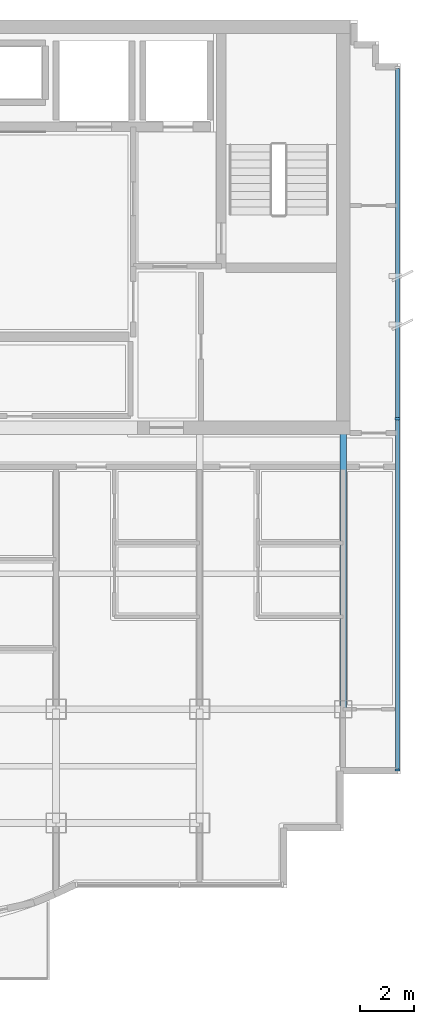
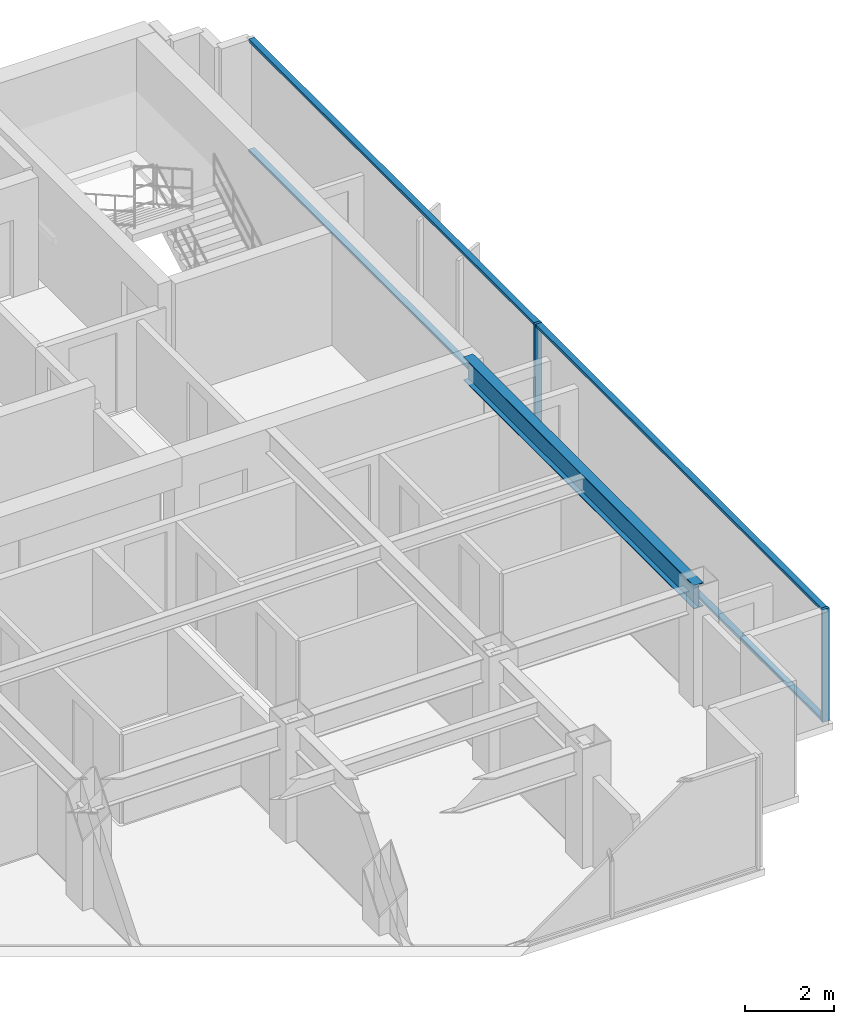
# One storey, part 3 of 10: 6 members, 1 beam, 1 element without a shape of its own.
"""IFC4 building model written with IfcOpenShell, lengths in metres."""

import ifcopenshell
import ifcopenshell.guid

model = None  # the IFC model being written
_history = None  # IfcOwnerHistory: only IFC2X3 demands one
_inside = {}  # id of a spatial element -> (the spatial element, [elements in it])
_under = {}  # id of a project, library or spatial element -> (it, [spatial elements below it])
_declared = {}  # id of a project -> (the project, [libraries it declares])
_typed = {}  # id of a type object -> (the type object, [elements of that type])
_made_of = {}  # id of a material, layer set ... -> (it, [elements and type objects made of it])


def new_model(schema):
    """Start an empty IFC model of exactly this schema.

    Asked for "IFC4X3", IfcOpenShell would pick the latest addendum, in which some entities
    have other attributes; the version numbers below select the first issue.
    IFC2X3 requires an IfcOwnerHistory on every rooted entity: one is made here for all.
    """
    global model, _history
    if schema == "IFC4X3":
        model = ifcopenshell.file(schema_version=(4, 3, 0, 0))
    else:
        model = ifcopenshell.file(schema=schema)
    _inside.clear()
    _under.clear()
    _declared.clear()
    _typed.clear()
    _made_of.clear()
    _history = None
    if model.schema == "IFC2X3":
        org = make("IfcOrganization", Name="unknown")
        user = make(
            "IfcPersonAndOrganization",
            ThePerson=make("IfcPerson", FamilyName="unknown"),
            TheOrganization=org,
        )
        app = make(
            "IfcApplication",
            ApplicationDeveloper=org,
            Version="unknown",
            ApplicationFullName="unknown",
            ApplicationIdentifier="unknown",
        )
        _history = make(
            "IfcOwnerHistory",
            OwningUser=user,
            OwningApplication=app,
            ChangeAction="ADDED",
            CreationDate=0,
        )
    return model


def make(cls, **values):
    """One entity of the class cls with the attributes given. An attribute that is None is left unset."""
    return model.create_entity(
        cls, **{name: value for name, value in values.items() if value is not None}
    )


def rooted(cls, **values):
    """An entity with a GlobalId (a new one), such as an element, a storey or a relation."""
    return make(cls, GlobalId=ifcopenshell.guid.new(), OwnerHistory=_history, **values)


def si_unit(unit_type, name, prefix=None):
    """IfcSIUnit, for example si_unit("LENGTHUNIT", "METRE", prefix="MILLI")."""
    return make("IfcSIUnit", UnitType=unit_type, Prefix=prefix, Name=name)


def assignment(units):
    """IfcUnitAssignment: the units of a project."""
    return None if units is None else make("IfcUnitAssignment", Units=units)


def point(xyz):
    """IfcCartesianPoint."""
    return None if xyz is None else make("IfcCartesianPoint", Coordinates=xyz)


def direction(xyz):
    """IfcDirection."""
    return None if xyz is None else make("IfcDirection", DirectionRatios=xyz)


def frame(location, z_axis=None, x_axis=None):
    """IfcAxis2Placement3D, a coordinate frame: its origin and axes. An axis left out is left unset."""
    return make(
        "IfcAxis2Placement3D",
        Location=point(location),
        Axis=direction(z_axis),
        RefDirection=direction(x_axis),
    )


def frame_2d(location, x_axis=None):
    """IfcAxis2Placement2D, a coordinate frame in the plane: its origin and x axis."""
    return make(
        "IfcAxis2Placement2D", Location=point(location), RefDirection=direction(x_axis)
    )


def origin():
    """The frame at (0, 0, 0) with its axes left unset."""
    return frame((0.0, 0.0, 0.0))


def origin_2d():
    """The frame at (0, 0) in the plane with its x axis left unset."""
    return frame_2d((0.0, 0.0))


def place(relative_to, where):
    """IfcLocalPlacement: puts the frame where relative to a parent placement (None: the world)."""
    return make(
        "IfcLocalPlacement", PlacementRelTo=relative_to, RelativePlacement=where
    )


def context(
    kind, dimensions, precision=None, world=None, true_north=None, identifier=None
):
    """IfcGeometricRepresentationContext, for example the 3D "Model" context."""
    return make(
        "IfcGeometricRepresentationContext",
        ContextIdentifier=identifier,
        ContextType=kind,
        CoordinateSpaceDimension=dimensions,
        Precision=precision,
        WorldCoordinateSystem=world,
        TrueNorth=true_north,
    )


def subcontext(parent, identifier, kind, view, scale=None):
    """IfcGeometricRepresentationSubContext, for example "Body" below "Model"."""
    return make(
        "IfcGeometricRepresentationSubContext",
        ContextIdentifier=identifier,
        ContextType=kind,
        ParentContext=parent,
        TargetScale=scale,
        TargetView=view,
    )


def project(units=None, contexts=None):
    """IfcProject with its units and contexts."""
    return rooted(
        "IfcProject",
        Name="project",
        RepresentationContexts=contexts,
        UnitsInContext=assignment(units),
    )


def spatial(cls, under=None, at=None, **own):
    """A site, building, storey or space (cls), placed at a placement, below another one or the project."""
    s = rooted(cls, ObjectPlacement=at, **own)
    if under is not None:
        _under.setdefault(under.id(), (under, []))[1].append(s)
    return s


def profile(cls, at=None, kind="AREA", **sizes):
    """A parametric profile (cls). Its sizes go by their IFC names, for example OverallWidth=200.0."""
    return make(cls, ProfileType=kind, Position=at, **sizes)


def rectangle(**sizes):
    """IfcRectangleProfileDef."""
    return profile("IfcRectangleProfileDef", **sizes)


def i_section(**sizes):
    """IfcIShapeProfileDef."""
    return profile("IfcIShapeProfileDef", **sizes)


def extrude(swept, where, along, depth):
    """IfcExtrudedAreaSolid: the profile swept, set in the frame where, extruded along a direction by depth."""
    return make(
        "IfcExtrudedAreaSolid",
        SweptArea=swept,
        Position=where,
        ExtrudedDirection=direction(along),
        Depth=depth,
    )


def shape(context_of_items, identifier, shape_type, items):
    """IfcShapeRepresentation: the items that make up one representation, for example the "Body"."""
    return make(
        "IfcShapeRepresentation",
        ContextOfItems=context_of_items,
        RepresentationIdentifier=identifier,
        RepresentationType=shape_type,
        Items=items,
    )


def source(mapping_origin, context_of_items, identifier, shape_type, items):
    """IfcRepresentationMap: a shape defined once, which mapped items show again and again."""
    return make(
        "IfcRepresentationMap",
        MappingOrigin=mapping_origin,
        MappedRepresentation=shape(context_of_items, identifier, shape_type, items),
    )


def transform(
    local_origin,
    x_axis=None,
    y_axis=None,
    z_axis=None,
    scale=None,
    scale2=None,
    scale3=None,
    uniform=True,
):
    """IfcCartesianTransformationOperator3D, or its non-uniform kind. x_axis, y_axis, z_axis: its Axis1, 2, 3."""
    if uniform:
        return make(
            "IfcCartesianTransformationOperator3D",
            Axis1=direction(x_axis),
            Axis2=direction(y_axis),
            LocalOrigin=point(local_origin),
            Scale=scale,
            Axis3=direction(z_axis),
        )
    return make(
        "IfcCartesianTransformationOperator3DnonUniform",
        Axis1=direction(x_axis),
        Axis2=direction(y_axis),
        LocalOrigin=point(local_origin),
        Scale=scale,
        Axis3=direction(z_axis),
        Scale2=scale2,
        Scale3=scale3,
    )


def mapped(mapping_source, mapping_target):
    """IfcMappedItem: shows the shape of a source again, moved by a transform."""
    return make(
        "IfcMappedItem", MappingSource=mapping_source, MappingTarget=mapping_target
    )


def material(Name=None, Category=None):
    """IfcMaterial."""
    return make("IfcMaterial", Name=Name, Category=Category)


def layer(
    of_material, thickness, ventilated=None, Name=None, Category=None, Priority=None
):
    """IfcMaterialLayer: one layer of a wall or slab, of a material (None: an air gap)."""
    return make(
        "IfcMaterialLayer",
        Material=of_material,
        LayerThickness=thickness,
        IsVentilated=ventilated,
        Name=Name,
        Category=Category,
        Priority=Priority,
    )


def layer_set(layers, Name=None):
    """IfcMaterialLayerSet."""
    return make("IfcMaterialLayerSet", MaterialLayers=layers, LayerSetName=Name)


def material_profile(
    of_material, cross_section, Name=None, Category=None, Priority=None
):
    """IfcMaterialProfile: a cross section and its material."""
    return make(
        "IfcMaterialProfile",
        Name=Name,
        Material=of_material,
        Profile=cross_section,
        Priority=Priority,
        Category=Category,
    )


def profile_set(profiles, Name=None, composite=None):
    """IfcMaterialProfileSet."""
    return make(
        "IfcMaterialProfileSet",
        Name=Name,
        MaterialProfiles=profiles,
        CompositeProfile=composite,
    )


def made_of(thing, what):
    """Note that an element or type object is made of a material, layer set ...; save() writes the relation."""
    if what is not None:
        _made_of.setdefault(what.id(), (what, []))[1].append(thing)
    return thing


def type_object(cls, material=None, **own):
    """A type object (cls), such as IfcWallType, which elements share."""
    return made_of(rooted(cls, **own), material)


def element(
    cls,
    number,
    at=None,
    inside=None,
    cuts=None,
    type_object=None,
    material=None,
    context=None,
    identifier="Body",
    shape_type=None,
    held_by="IfcProductDefinitionShape",
    body=None,
    shapes=None,
    **own,
):
    """One element of the class cls, such as IfcWall. Its Tag is "e" and its number.

    at: its placement. inside: the storey or other place that contains it. cuts: it is an
    opening in that element (IfcRelVoidsElement). A single representation is given by context,
    identifier, shape_type and body (its items); several are given by shapes. held_by: the class
    of the entity that holds the representations. save() writes the other relations.
    """
    e = rooted(cls, Tag="e%d" % number, ObjectPlacement=at, **own)
    if body is not None:
        shapes = [shape(context, identifier, shape_type, body)]
    if shapes is not None:
        e.Representation = make(held_by, Representations=shapes)
    if inside is not None:
        _inside.setdefault(inside.id(), (inside, []))[1].append(e)
    if cuts is not None:
        rooted(
            "IfcRelVoidsElement", RelatingBuildingElement=cuts, RelatedOpeningElement=e
        )
    if type_object is not None:
        _typed.setdefault(type_object.id(), (type_object, []))[1].append(e)
    return made_of(e, material)


def aggregate(whole, parts):
    """IfcRelAggregates: a whole, such as a stair, and the parts it consists of."""
    return rooted("IfcRelAggregates", RelatingObject=whole, RelatedObjects=parts)


def save(model, path):
    """Write the relations noted so far, then the file.

    IfcRelAggregates (storeys below a building ...), IfcRelContainedInSpatialStructure (elements
    in a storey), IfcRelDefinesByType, IfcRelAssociatesMaterial and IfcRelDeclares: one each for
    every whole, place, type object, material and project.
    """
    for whole, parts in _under.values():
        aggregate(whole, parts)
    for where, things in _inside.values():
        rooted(
            "IfcRelContainedInSpatialStructure",
            RelatedElements=things,
            RelatingStructure=where,
        )
    for kind, things in _typed.values():
        rooted("IfcRelDefinesByType", RelatedObjects=things, RelatingType=kind)
    for what, things in _made_of.values():
        rooted("IfcRelAssociatesMaterial", RelatedObjects=things, RelatingMaterial=what)
    for by, libraries in _declared.values():
        rooted("IfcRelDeclares", RelatingContext=by, RelatedDefinitions=libraries)
    model.write(path)


model = new_model("IFC4")

# Units and contexts
model_context = context("Model", 3, precision=1e-05, world=origin(), true_north=direction((0.0, 1.0)))
body_context = subcontext(model_context, "Body", "Model", "MODEL_VIEW")
ifc_project = project(units=[si_unit("LENGTHUNIT", "METRE"), si_unit("AREAUNIT", "SQUARE_METRE"), si_unit("VOLUMEUNIT", "CUBIC_METRE"), si_unit("PLANEANGLEUNIT", "RADIAN"), si_unit("MASSUNIT", "GRAM", prefix="KILO")], contexts=[model_context])

# Site, building, storey
site_placement = place(None, origin())
site = spatial("IfcSite", under=ifc_project, at=site_placement, CompositionType="ELEMENT")
building_placement = place(site_placement, origin())
building = spatial("IfcBuilding", under=site, at=building_placement, Name="Qianlan Lanfeng Residences", CompositionType="ELEMENT")
storey_placement = place(building_placement, frame((0.0, 0.0, 236.300048828125)))
storey = spatial("IfcBuildingStorey", under=building, at=storey_placement, Name="L65", CompositionType="ELEMENT", Elevation=236.300048828125)

# Beam
ifc_material_1 = material(Name="Steel SN490B", Category="steel")
ifc_material_profile_1 = material_profile(ifc_material_1, i_section(OverallWidth=0.25, OverallDepth=0.64990234375, WebThickness=0.012939453125, FlangeThickness=0.02197265625, at=origin_2d()), Name="H 650x250x13x22")
ifc_profile_set_1 = profile_set([ifc_material_profile_1], Name="Steel SN490B")
beam_type = type_object("IfcBeamType", Name="G-650", PredefinedType="BEAM", material=ifc_profile_set_1)
beam_placement = place(storey_placement, frame((42.39990234375, 14.800048828125, 2.784912109375), z_axis=(0.0, 1.0, 0.0), x_axis=(-1.0, 0.0, 0.0)))
element("IfcBeam", 1, at=beam_placement, inside=storey, type_object=beam_type, Name="Structural beam G-650", PredefinedType="BEAM", context=body_context, shape_type="SweptSolid", body=[
    extrude(i_section(OverallWidth=0.25, OverallDepth=0.64990234375, WebThickness=0.012939453125, FlangeThickness=0.02197265625, at=origin_2d()), origin(), (0.0, 0.0, 1.0), 10.39990234375),
])

# Curtain wall, members
ifc_material_2 = material(Name="Anodised Bronze Aluminium 6063-T6", Category="aluminium")
ifc_layer = layer(ifc_material_2, 0.219970703125)
ifc_layer_set = layer_set([ifc_layer], Name="Anodised Bronze Aluminium 6063-T6")
curtain_wall_type = type_object("IfcCurtainWallType", Name="CW-06", PredefinedType="NOTDEFINED", material=ifc_layer_set)
curtain_wall_placement = place(storey_placement, origin())
curtain_wall = element("IfcCurtainWall", 2, at=curtain_wall_placement, inside=storey, type_object=curtain_wall_type, Name="L65 Unitised Curtain Wall CWR-L65-03 (CW-06)", PredefinedType="NOTDEFINED")
ifc_material_profile_2 = material_profile(ifc_material_2, rectangle(XDim=0.074951171875, YDim=0.179931640625, at=origin_2d()), Name="ALU MULLION 75x180")
ifc_profile_set_2 = profile_set([ifc_material_profile_2], Name="Anodised Bronze Aluminium 6063-T6")
member_type_1 = type_object("IfcMemberType", Name="CWM-180", PredefinedType="MULLION", material=ifc_profile_set_2)
shared_shape_1 = source(origin(), body_context, "Body", "SweptSolid", [
    extrude(rectangle(XDim=0.074951171875, YDim=0.179931640625, at=origin_2d()), origin(), (0.0, 0.0, 1.0), 3.10986328125),
])
member_1_placement = place(storey_placement, frame((44.39990234375, 12.5576171875, 0.0), z_axis=(0.0, 0.0, 1.0), x_axis=(0.0, 1.0, 0.0)))
member_1 = element("IfcMember", 3, at=member_1_placement, type_object=member_type_1, Name="CWR-L65-03 Mullion 1", PredefinedType="MULLION", context=body_context, shape_type="MappedRepresentation", body=[
    mapped(shared_shape_1, transform((0.0, 0.0, 0.0), scale=1.0)),
])
member_2_placement = place(storey_placement, frame((44.39990234375, 25.52490234375, 0.0), z_axis=(0.0, 0.0, 1.0), x_axis=(0.0, 1.0, 0.0)))
member_2 = element("IfcMember", 4, at=member_2_placement, type_object=member_type_1, Name="CWR-L65-03 Mullion 2", PredefinedType="MULLION", context=body_context, shape_type="MappedRepresentation", body=[
    mapped(shared_shape_1, transform((0.0, 0.0, 0.0), scale=1.0)),
])
ifc_material_profile_3 = material_profile(ifc_material_2, rectangle(XDim=0.074951171875, YDim=0.14990234375, at=origin_2d()), Name="ALU TRANSOM 75x150")
ifc_profile_set_3 = profile_set([ifc_material_profile_3], Name="Anodised Bronze Aluminium 6063-T6")
member_type_2 = type_object("IfcMemberType", Name="CWT-150", PredefinedType="USERDEFINED", material=ifc_profile_set_3)
shared_shape_2 = source(origin(), body_context, "Body", "SweptSolid", [
    extrude(rectangle(XDim=0.074951171875, YDim=0.14990234375, at=origin_2d()), origin(), (0.0, 0.0, 1.0), 12.892578125),
])
member_3_placement = place(storey_placement, frame((44.39990234375, 12.594970703125, 0.037353515625), z_axis=(0.0, 1.0, 0.0), x_axis=(0.0, 0.0, 1.0)))
member_3 = element("IfcMember", 5, at=member_3_placement, type_object=member_type_2, Name="CWR-L65-03 Transom 1-BOT", ObjectType="TRANSOM", PredefinedType="USERDEFINED", context=body_context, shape_type="MappedRepresentation", body=[
    mapped(shared_shape_2, transform((0.0, 0.0, 0.0), scale=1.0)),
])
member_4_placement = place(storey_placement, frame((44.39990234375, 12.594970703125, 3.072509765625), z_axis=(0.0, 1.0, 0.0), x_axis=(0.0, 0.0, 1.0)))
member_4 = element("IfcMember", 6, at=member_4_placement, type_object=member_type_2, Name="CWR-L65-03 Transom 1-TOP", ObjectType="TRANSOM", PredefinedType="USERDEFINED", context=body_context, shape_type="MappedRepresentation", body=[
    mapped(shared_shape_2, transform((0.0, 0.0, 0.0), scale=1.0)),
])
member_5_placement = place(storey_placement, frame((44.39990234375, 25.5625, 0.037353515625), z_axis=(0.0, 1.0, 0.0), x_axis=(0.0, 0.0, 1.0)))
member_5 = element("IfcMember", 7, at=member_5_placement, type_object=member_type_2, Name="CWR-L65-03 Transom 2-BOT", ObjectType="TRANSOM", PredefinedType="USERDEFINED", context=body_context, shape_type="MappedRepresentation", body=[
    mapped(shared_shape_2, transform((0.0, 0.0, 0.0), scale=1.0)),
])
member_6_placement = place(storey_placement, frame((44.39990234375, 25.5625, 3.072509765625), z_axis=(0.0, 1.0, 0.0), x_axis=(0.0, 0.0, 1.0)))
member_6 = element("IfcMember", 8, at=member_6_placement, type_object=member_type_2, Name="CWR-L65-03 Transom 2-TOP", ObjectType="TRANSOM", PredefinedType="USERDEFINED", context=body_context, shape_type="MappedRepresentation", body=[
    mapped(shared_shape_2, transform((0.0, 0.0, 0.0), scale=1.0)),
])
aggregate(curtain_wall, [member_1, member_2, member_3, member_4, member_5, member_6])

save(model, "model.ifc")
